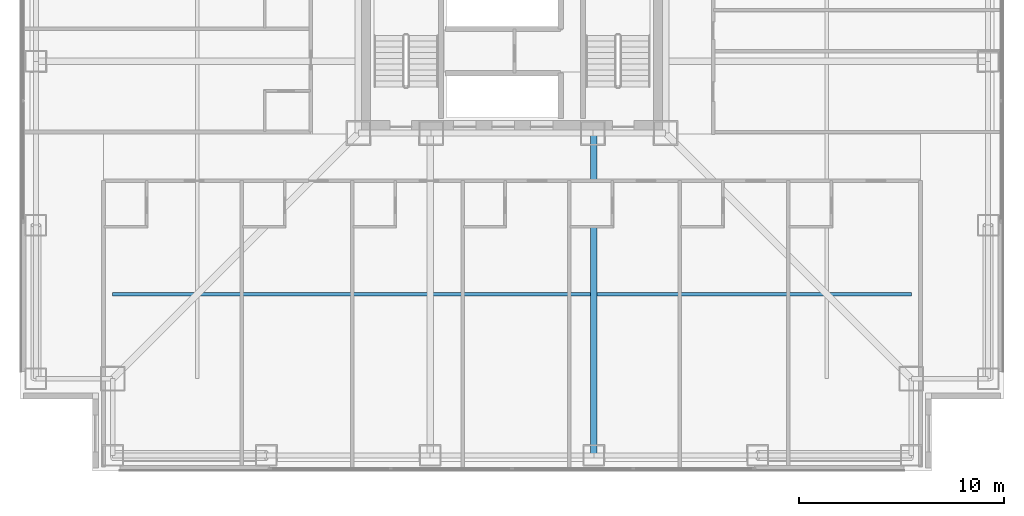
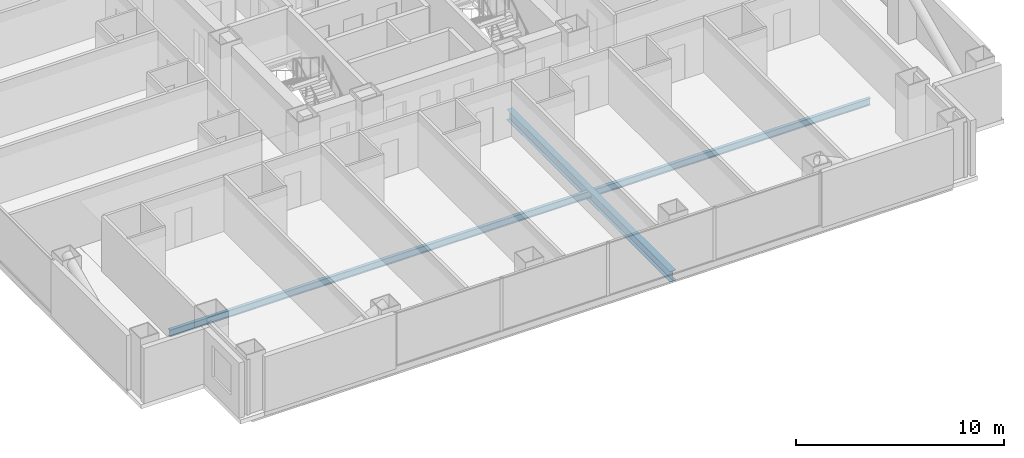
# One storey, part 4 of 23: 2 beams.
"""IFC4 building model written with IfcOpenShell, lengths in metres."""

from ifc_helpers import new_model, si_unit, direction, frame, origin, origin_2d, place, context, subcontext, project, spatial, i_section, extrude, material, material_profile, profile_set, type_object, element, save


model = new_model("IFC4")

# Units and contexts
model_context = context("Model", 3, precision=1e-05, world=origin(), true_north=direction((0.0, 1.0)))
body_context = subcontext(model_context, "Body", "Model", "MODEL_VIEW")
ifc_project = project(units=[si_unit("LENGTHUNIT", "METRE"), si_unit("AREAUNIT", "SQUARE_METRE"), si_unit("VOLUMEUNIT", "CUBIC_METRE"), si_unit("PLANEANGLEUNIT", "RADIAN"), si_unit("MASSUNIT", "GRAM", prefix="KILO")], contexts=[model_context])

# Site, building, storey
site_placement = place(None, origin())
site = spatial("IfcSite", under=ifc_project, at=site_placement, CompositionType="ELEMENT")
building_placement = place(site_placement, origin())
building = spatial("IfcBuilding", under=site, at=building_placement, Name="Trevonay Congress Spire", CompositionType="ELEMENT")
storey_placement = place(building_placement, frame((0.0, 0.0, 34.0)))
storey = spatial("IfcBuildingStorey", under=building, at=storey_placement, Name="L07", CompositionType="ELEMENT", Elevation=34.0)

# Beams
ifc_material = material(Name="Steel ASTM A572 Grade 50", Category="steel")
ifc_material_profile_1 = material_profile(ifc_material, i_section(OverallWidth=0.324951171875, OverallDepth=0.615966796875, WebThickness=0.013916015625, FlangeThickness=0.021484375, FilletRadius=0.01806640625, at=origin_2d()), Name="W610x174")
ifc_profile_set_1 = profile_set([ifc_material_profile_1], Name="Steel ASTM A572 Grade 50")
beam_type_1 = type_object("IfcBeamType", Name="BM-GIRD-W610X174", PredefinedType="BEAM", material=ifc_profile_set_1)
beam_1_placement = place(storey_placement, frame((4.0, -7.5, -0.55810546875), z_axis=(0.0, -1.0, 0.0), x_axis=(1.0, 0.0, 0.0)))
element("IfcBeam", 1, at=beam_1_placement, inside=storey, type_object=beam_type_1, Name="L07 structural beam BM-L07-GS-P", PredefinedType="BEAM", context=body_context, shape_type="SweptSolid", body=[
    extrude(i_section(OverallWidth=0.324951171875, OverallDepth=0.615966796875, WebThickness=0.013916015625, FlangeThickness=0.021484375, FilletRadius=0.01806640625, at=origin_2d()), origin(), (0.0, 0.0, 1.0), 15.75),
])
ifc_material_profile_2 = material_profile(ifc_material, i_section(OverallWidth=0.177978515625, OverallDepth=0.406982421875, WebThickness=0.0078125, FlangeThickness=0.0126953125, FilletRadius=0.012939453125, at=origin_2d()), Name="W410x60")
ifc_profile_set_2 = profile_set([ifc_material_profile_2], Name="Steel ASTM A572 Grade 50")
beam_type_2 = type_object("IfcBeamType", Name="JS-COMP-W410X60", PredefinedType="JOIST", material=ifc_profile_set_2)
beam_2_placement = place(storey_placement, frame((-19.5, -15.375, -0.45361328125), z_axis=(1.0, 0.0, 0.0), x_axis=(0.0, 1.0, 0.0)))
element("IfcBeam", 2, at=beam_2_placement, inside=storey, type_object=beam_type_2, Name="L07 structural beam JS-L07-RING-S", PredefinedType="JOIST", context=body_context, shape_type="SweptSolid", body=[
    extrude(i_section(OverallWidth=0.177978515625, OverallDepth=0.406982421875, WebThickness=0.0078125, FlangeThickness=0.0126953125, FilletRadius=0.012939453125, at=origin_2d()), origin(), (0.0, 0.0, 1.0), 39.0),
])

save(model, "model.ifc")
